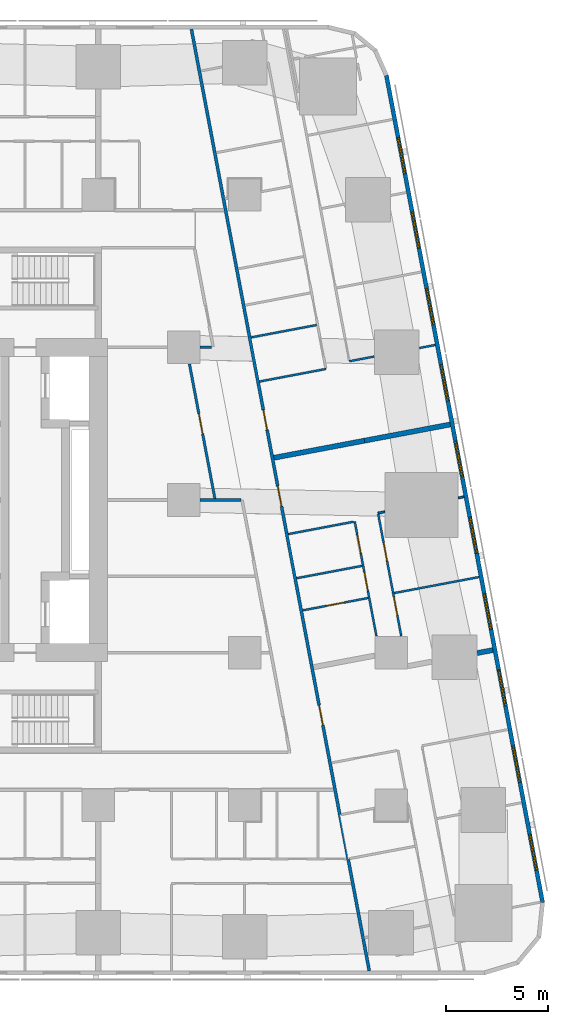
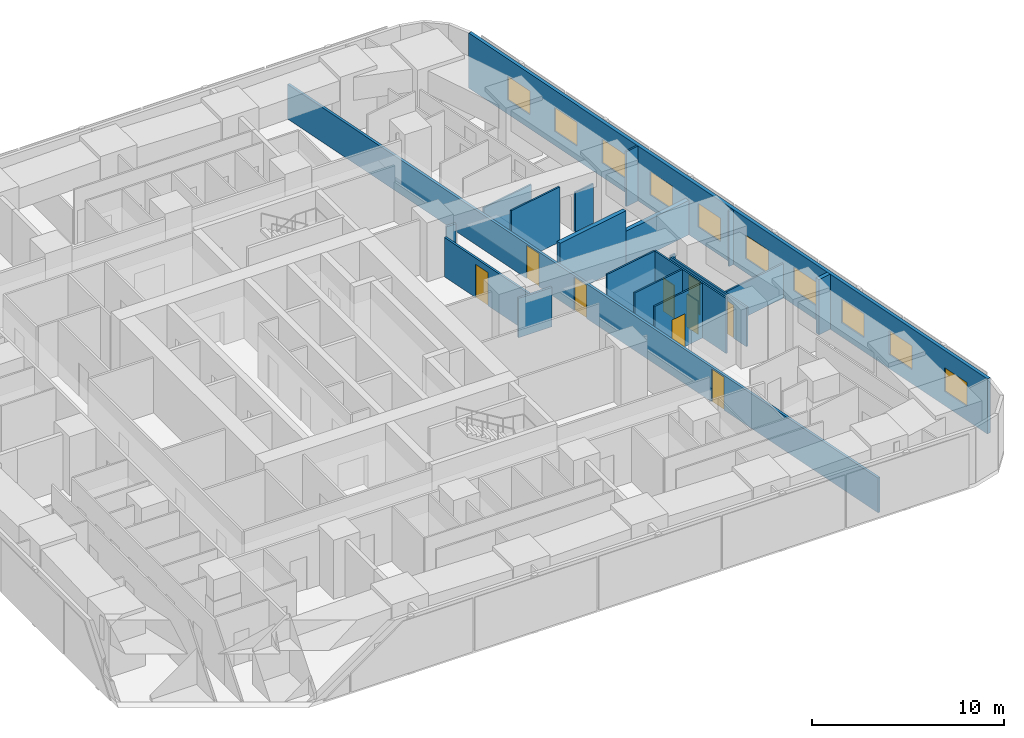
# One storey, part 7 of 15: 20 walls, 10 windows, 9 doors, 19 openings.
"""IFC4 building model written with IfcOpenShell, lengths in metres."""

import ifcopenshell
import ifcopenshell.guid

model = None  # the IFC model being written
_history = None  # IfcOwnerHistory: only IFC2X3 demands one
_inside = {}  # id of a spatial element -> (the spatial element, [elements in it])
_under = {}  # id of a project, library or spatial element -> (it, [spatial elements below it])
_declared = {}  # id of a project -> (the project, [libraries it declares])
_typed = {}  # id of a type object -> (the type object, [elements of that type])
_made_of = {}  # id of a material, layer set ... -> (it, [elements and type objects made of it])


def new_model(schema):
    """Start an empty IFC model of exactly this schema.

    Asked for "IFC4X3", IfcOpenShell would pick the latest addendum, in which some entities
    have other attributes; the version numbers below select the first issue.
    IFC2X3 requires an IfcOwnerHistory on every rooted entity: one is made here for all.
    """
    global model, _history
    if schema == "IFC4X3":
        model = ifcopenshell.file(schema_version=(4, 3, 0, 0))
    else:
        model = ifcopenshell.file(schema=schema)
    _inside.clear()
    _under.clear()
    _declared.clear()
    _typed.clear()
    _made_of.clear()
    _history = None
    if model.schema == "IFC2X3":
        org = make("IfcOrganization", Name="unknown")
        user = make(
            "IfcPersonAndOrganization",
            ThePerson=make("IfcPerson", FamilyName="unknown"),
            TheOrganization=org,
        )
        app = make(
            "IfcApplication",
            ApplicationDeveloper=org,
            Version="unknown",
            ApplicationFullName="unknown",
            ApplicationIdentifier="unknown",
        )
        _history = make(
            "IfcOwnerHistory",
            OwningUser=user,
            OwningApplication=app,
            ChangeAction="ADDED",
            CreationDate=0,
        )
    return model


def make(cls, **values):
    """One entity of the class cls with the attributes given. An attribute that is None is left unset."""
    return model.create_entity(
        cls, **{name: value for name, value in values.items() if value is not None}
    )


def rooted(cls, **values):
    """An entity with a GlobalId (a new one), such as an element, a storey or a relation."""
    return make(cls, GlobalId=ifcopenshell.guid.new(), OwnerHistory=_history, **values)


def si_unit(unit_type, name, prefix=None):
    """IfcSIUnit, for example si_unit("LENGTHUNIT", "METRE", prefix="MILLI")."""
    return make("IfcSIUnit", UnitType=unit_type, Prefix=prefix, Name=name)


def assignment(units):
    """IfcUnitAssignment: the units of a project."""
    return None if units is None else make("IfcUnitAssignment", Units=units)


def point(xyz):
    """IfcCartesianPoint."""
    return None if xyz is None else make("IfcCartesianPoint", Coordinates=xyz)


def direction(xyz):
    """IfcDirection."""
    return None if xyz is None else make("IfcDirection", DirectionRatios=xyz)


def frame(location, z_axis=None, x_axis=None):
    """IfcAxis2Placement3D, a coordinate frame: its origin and axes. An axis left out is left unset."""
    return make(
        "IfcAxis2Placement3D",
        Location=point(location),
        Axis=direction(z_axis),
        RefDirection=direction(x_axis),
    )


def frame_2d(location, x_axis=None):
    """IfcAxis2Placement2D, a coordinate frame in the plane: its origin and x axis."""
    return make(
        "IfcAxis2Placement2D", Location=point(location), RefDirection=direction(x_axis)
    )


def origin():
    """The frame at (0, 0, 0) with its axes left unset."""
    return frame((0.0, 0.0, 0.0))


def place(relative_to, where):
    """IfcLocalPlacement: puts the frame where relative to a parent placement (None: the world)."""
    return make(
        "IfcLocalPlacement", PlacementRelTo=relative_to, RelativePlacement=where
    )


def context(
    kind, dimensions, precision=None, world=None, true_north=None, identifier=None
):
    """IfcGeometricRepresentationContext, for example the 3D "Model" context."""
    return make(
        "IfcGeometricRepresentationContext",
        ContextIdentifier=identifier,
        ContextType=kind,
        CoordinateSpaceDimension=dimensions,
        Precision=precision,
        WorldCoordinateSystem=world,
        TrueNorth=true_north,
    )


def subcontext(parent, identifier, kind, view, scale=None):
    """IfcGeometricRepresentationSubContext, for example "Body" below "Model"."""
    return make(
        "IfcGeometricRepresentationSubContext",
        ContextIdentifier=identifier,
        ContextType=kind,
        ParentContext=parent,
        TargetScale=scale,
        TargetView=view,
    )


def project(units=None, contexts=None):
    """IfcProject with its units and contexts."""
    return rooted(
        "IfcProject",
        Name="project",
        RepresentationContexts=contexts,
        UnitsInContext=assignment(units),
    )


def spatial(cls, under=None, at=None, **own):
    """A site, building, storey or space (cls), placed at a placement, below another one or the project."""
    s = rooted(cls, ObjectPlacement=at, **own)
    if under is not None:
        _under.setdefault(under.id(), (under, []))[1].append(s)
    return s


def profile(cls, at=None, kind="AREA", **sizes):
    """A parametric profile (cls). Its sizes go by their IFC names, for example OverallWidth=200.0."""
    return make(cls, ProfileType=kind, Position=at, **sizes)


def rectangle(**sizes):
    """IfcRectangleProfileDef."""
    return profile("IfcRectangleProfileDef", **sizes)


def extrude(swept, where, along, depth):
    """IfcExtrudedAreaSolid: the profile swept, set in the frame where, extruded along a direction by depth."""
    return make(
        "IfcExtrudedAreaSolid",
        SweptArea=swept,
        Position=where,
        ExtrudedDirection=direction(along),
        Depth=depth,
    )


def shape(context_of_items, identifier, shape_type, items):
    """IfcShapeRepresentation: the items that make up one representation, for example the "Body"."""
    return make(
        "IfcShapeRepresentation",
        ContextOfItems=context_of_items,
        RepresentationIdentifier=identifier,
        RepresentationType=shape_type,
        Items=items,
    )


def material(Name=None, Category=None):
    """IfcMaterial."""
    return make("IfcMaterial", Name=Name, Category=Category)


def layer(
    of_material, thickness, ventilated=None, Name=None, Category=None, Priority=None
):
    """IfcMaterialLayer: one layer of a wall or slab, of a material (None: an air gap)."""
    return make(
        "IfcMaterialLayer",
        Material=of_material,
        LayerThickness=thickness,
        IsVentilated=ventilated,
        Name=Name,
        Category=Category,
        Priority=Priority,
    )


def layer_set(layers, Name=None):
    """IfcMaterialLayerSet."""
    return make("IfcMaterialLayerSet", MaterialLayers=layers, LayerSetName=Name)


def made_of(thing, what):
    """Note that an element or type object is made of a material, layer set ...; save() writes the relation."""
    if what is not None:
        _made_of.setdefault(what.id(), (what, []))[1].append(thing)
    return thing


def type_object(cls, material=None, **own):
    """A type object (cls), such as IfcWallType, which elements share."""
    return made_of(rooted(cls, **own), material)


def element(
    cls,
    number,
    at=None,
    inside=None,
    cuts=None,
    type_object=None,
    material=None,
    context=None,
    identifier="Body",
    shape_type=None,
    held_by="IfcProductDefinitionShape",
    body=None,
    shapes=None,
    **own,
):
    """One element of the class cls, such as IfcWall. Its Tag is "e" and its number.

    at: its placement. inside: the storey or other place that contains it. cuts: it is an
    opening in that element (IfcRelVoidsElement). A single representation is given by context,
    identifier, shape_type and body (its items); several are given by shapes. held_by: the class
    of the entity that holds the representations. save() writes the other relations.
    """
    e = rooted(cls, Tag="e%d" % number, ObjectPlacement=at, **own)
    if body is not None:
        shapes = [shape(context, identifier, shape_type, body)]
    if shapes is not None:
        e.Representation = make(held_by, Representations=shapes)
    if inside is not None:
        _inside.setdefault(inside.id(), (inside, []))[1].append(e)
    if cuts is not None:
        rooted(
            "IfcRelVoidsElement", RelatingBuildingElement=cuts, RelatedOpeningElement=e
        )
    if type_object is not None:
        _typed.setdefault(type_object.id(), (type_object, []))[1].append(e)
    return made_of(e, material)


def fill(opening, filler):
    """IfcRelFillsElement: the door or window that sits in an opening."""
    return rooted(
        "IfcRelFillsElement",
        RelatingOpeningElement=opening,
        RelatedBuildingElement=filler,
    )


def aggregate(whole, parts):
    """IfcRelAggregates: a whole, such as a stair, and the parts it consists of."""
    return rooted("IfcRelAggregates", RelatingObject=whole, RelatedObjects=parts)


def save(model, path):
    """Write the relations noted so far, then the file.

    IfcRelAggregates (storeys below a building ...), IfcRelContainedInSpatialStructure (elements
    in a storey), IfcRelDefinesByType, IfcRelAssociatesMaterial and IfcRelDeclares: one each for
    every whole, place, type object, material and project.
    """
    for whole, parts in _under.values():
        aggregate(whole, parts)
    for where, things in _inside.values():
        rooted(
            "IfcRelContainedInSpatialStructure",
            RelatedElements=things,
            RelatingStructure=where,
        )
    for kind, things in _typed.values():
        rooted("IfcRelDefinesByType", RelatedObjects=things, RelatingType=kind)
    for what, things in _made_of.values():
        rooted("IfcRelAssociatesMaterial", RelatedObjects=things, RelatingMaterial=what)
    for by, libraries in _declared.values():
        rooted("IfcRelDeclares", RelatingContext=by, RelatedDefinitions=libraries)
    model.write(path)


model = new_model("IFC4")

# Units and contexts
model_context = context("Model", 3, precision=1e-05, world=origin(), true_north=direction((0.0, 1.0)))
body_context = subcontext(model_context, "Body", "Model", "MODEL_VIEW")
ifc_project = project(units=[si_unit("LENGTHUNIT", "METRE"), si_unit("AREAUNIT", "SQUARE_METRE"), si_unit("VOLUMEUNIT", "CUBIC_METRE"), si_unit("PLANEANGLEUNIT", "RADIAN"), si_unit("MASSUNIT", "GRAM", prefix="KILO")], contexts=[model_context])

# Site, building, storey
site_placement = place(None, origin())
site = spatial("IfcSite", under=ifc_project, at=site_placement, CompositionType="ELEMENT")
building_placement = place(site_placement, origin())
building = spatial("IfcBuilding", under=site, at=building_placement, Name="Sheger Commons Tower", CompositionType="ELEMENT")
storey_placement = place(building_placement, frame((0.0, 0.0, 85.39990234375)))
storey = spatial("IfcBuildingStorey", under=building, at=storey_placement, Name="L21", CompositionType="ELEMENT", Elevation=85.39990234375)

# Wall, openings, doors
ifc_material_1 = material(Name="Hollow concrete block masonry, skimmed both sides", Category="masonry")
ifc_layer_1 = layer(ifc_material_1, 0.14990234375)
ifc_layer_set_1 = layer_set([ifc_layer_1], Name="CORRIDOR WALL 150")
wall_type_1 = type_object("IfcWallType", Name="CORRIDOR WALL 150", PredefinedType="SOLIDWALL", material=ifc_layer_set_1)
wall_1_placement = place(storey_placement, frame((33.382080078125, 45.64990234375, 0.0), z_axis=(0.0, 0.0, 1.0), x_axis=(0.185593544777, -0.982626600565, 0.0)))
wall_1 = element("IfcWall", 1, at=wall_1_placement, inside=storey, type_object=wall_type_1, Name="Corridor wall L21", PredefinedType="SOLIDWALL", context=body_context, shape_type="SweptSolid", body=[
    extrude(rectangle(XDim=47.118408203125, YDim=0.14990234375, at=frame_2d((23.55908203125, 0.0))), origin(), (0.0, 0.0, 1.0), 2.2001953125),
])
opening_1_placement = place(wall_1_placement, frame((19.053955078125, 0.0, 0.0)))
opening_1 = element("IfcOpeningElement", 2, at=opening_1_placement, cuts=wall_1, Name="Opening D1", PredefinedType="OPENING", context=body_context, shape_type="SweptSolid", body=[
    extrude(rectangle(XDim=1.0, YDim=2.10009765625, at=frame_2d((0.5, 1.050048828125))), frame((0.0, 0.0849609375, 0.0), z_axis=(0.0, -1.0, 0.0), x_axis=(1.0, 0.0, 0.0)), (0.0, 0.0, 1.0), 0.169921875),
])
opening_2_placement = place(wall_1_placement, frame((22.8701171875, 0.0, 0.0)))
opening_2 = element("IfcOpeningElement", 3, at=opening_2_placement, cuts=wall_1, Name="Opening D1", PredefinedType="OPENING", context=body_context, shape_type="SweptSolid", body=[
    extrude(rectangle(XDim=1.0, YDim=2.10009765625, at=frame_2d((0.5, 1.050048828125))), frame((0.0, 0.0849609375, 0.0), z_axis=(0.0, -1.0, 0.0), x_axis=(1.0, 0.0, 0.0)), (0.0, 0.0, 1.0), 0.169921875),
])
opening_3_placement = place(wall_1_placement, frame((33.8330078125, 0.0, 0.0)))
opening_3 = element("IfcOpeningElement", 4, at=opening_3_placement, cuts=wall_1, Name="Opening D1", PredefinedType="OPENING", context=body_context, shape_type="SweptSolid", body=[
    extrude(rectangle(XDim=1.0, YDim=2.10009765625, at=frame_2d((0.5, 1.050048828125))), frame((0.0, 0.0849609375, 0.0), z_axis=(0.0, -1.0, 0.0), x_axis=(1.0, 0.0, 0.0)), (0.0, 0.0, 1.0), 0.169921875),
])
ifc_material_2 = material(Name="Steel door set, fire rated", Category="steel")
door_type_1 = type_object("IfcDoorType", Name="FLAT ENTRANCE DOOR 1000x2100", OperationType="NOTDEFINED", PredefinedType="DOOR", material=ifc_material_2)
door_1_placement = place(opening_1_placement, origin())
door_1 = element("IfcDoor", 5, at=door_1_placement, inside=storey, type_object=door_type_1, Name="Flat entrance door", OperationType="SINGLE_SWING_LEFT", OverallHeight=2.10009765625, OverallWidth=1.0, PredefinedType="DOOR", context=body_context, shape_type="SweptSolid", body=[
    extrude(rectangle(XDim=1.0, YDim=2.10009765625, at=frame_2d((0.5, 1.050048828125))), frame((0.0, 0.02490234375, 0.0), z_axis=(0.0, -1.0, 0.0), x_axis=(1.0, 0.0, 0.0)), (0.0, 0.0, 1.0), 0.050048828125),
])
fill(opening_1, door_1)
door_2_placement = place(opening_2_placement, origin())
door_2 = element("IfcDoor", 6, at=door_2_placement, inside=storey, type_object=door_type_1, Name="Flat entrance door", OperationType="SINGLE_SWING_RIGHT", OverallHeight=2.10009765625, OverallWidth=1.0, PredefinedType="DOOR", context=body_context, shape_type="SweptSolid", body=[
    extrude(rectangle(XDim=1.0, YDim=2.10009765625, at=frame_2d((0.5, 1.050048828125))), frame((0.0, 0.02490234375, 0.0), z_axis=(0.0, -1.0, 0.0), x_axis=(1.0, 0.0, 0.0)), (0.0, 0.0, 1.0), 0.050048828125),
])
fill(opening_2, door_2)
door_3_placement = place(opening_3_placement, origin())
door_3 = element("IfcDoor", 7, at=door_3_placement, inside=storey, type_object=door_type_1, Name="Flat entrance door", OperationType="SINGLE_SWING_LEFT", OverallHeight=2.10009765625, OverallWidth=1.0, PredefinedType="DOOR", context=body_context, shape_type="SweptSolid", body=[
    extrude(rectangle(XDim=1.0, YDim=2.10009765625, at=frame_2d((0.5, 1.050048828125))), frame((0.0, 0.02490234375, 0.0), z_axis=(0.0, -1.0, 0.0), x_axis=(1.0, 0.0, 0.0)), (0.0, 0.0, 1.0), 0.050048828125),
])
fill(opening_3, door_3)

# Walls
ifc_material_3 = material(Name="Dense concrete block masonry, plastered both sides (separating wall between flats)", Category="masonry")
ifc_layer_2 = layer(ifc_material_3, 0.25)
ifc_layer_set_2 = layer_set([ifc_layer_2], Name="DEMISING WALL 250")
wall_type_2 = type_object("IfcWallType", Name="DEMISING WALL 250", PredefinedType="SOLIDWALL", material=ifc_layer_set_2)
wall_2_placement = place(storey_placement, frame((46.110107421875, 26.212890625, 0.0), z_axis=(0.0, 0.0, 1.0), x_axis=(-0.982633535512, -0.185556823879, 0.0)))
element("IfcWall", 8, at=wall_2_placement, inside=storey, type_object=wall_type_2, Name="Demising wall L21", PredefinedType="SOLIDWALL", context=body_context, shape_type="SweptSolid", body=[
    extrude(rectangle(XDim=4.2998046875, YDim=0.25, at=frame_2d((2.14990234375, 0.0))), origin(), (0.0, 0.0, 1.0), 2.2001953125),
])
wall_3_placement = place(storey_placement, frame((41.885009765625, 25.4150390625, 0.0), z_axis=(0.0, 0.0, 1.0), x_axis=(-0.982612837616, -0.185666398014, 0.0)))
element("IfcWall", 9, at=wall_3_placement, inside=storey, type_object=wall_type_2, Name="Demising wall L21", PredefinedType="SOLIDWALL", context=body_context, shape_type="SweptSolid", body=[
    extrude(rectangle(XDim=4.524658203125, YDim=0.25, at=frame_2d((2.26220703125, 0.0))), origin(), (0.0, 0.0, 1.0), 3.5),
])
wall_4_placement = place(storey_placement, frame((48.2060546875, 15.1201171875, 0.0), z_axis=(0.0, 0.0, 1.0), x_axis=(-0.982638023929, -0.185533053469, 0.0)))
element("IfcWall", 10, at=wall_4_placement, inside=storey, type_object=wall_type_2, Name="Demising wall L21", PredefinedType="SOLIDWALL", context=body_context, shape_type="SweptSolid", body=[
    extrude(rectangle(XDim=0.78173828125, YDim=0.25, at=frame_2d((0.390869140625, 0.0))), origin(), (0.0, 0.0, 1.0), 3.5),
])

# Wall, openings, windows
ifc_material_4 = material(Name="Rendered concrete block masonry, dark grey", Category="masonry")
ifc_layer_3 = layer(ifc_material_4, 0.199951171875)
ifc_layer_set_3 = layer_set([ifc_layer_3], Name="FACADE WALL 200")
wall_type_3 = type_object("IfcWallType", Name="FACADE WALL 200", PredefinedType="SOLIDWALL", material=ifc_layer_set_3)
wall_5_placement = place(storey_placement, frame((50.653076171875, 2.702880859375, 0.0), z_axis=(0.0, 0.0, 1.0), x_axis=(-0.185612026696, 0.982623109613, 0.0)))
wall_5 = element("IfcWall", 11, at=wall_5_placement, inside=storey, type_object=wall_type_3, Name="Facade wall L21", PredefinedType="SOLIDWALL", context=body_context, shape_type="SweptSolid", body=[
    extrude(rectangle(XDim=41.393310546875, YDim=0.199951171875, at=frame_2d((20.69677734375, 0.0))), origin(), (0.0, 0.0, 1.0), 3.5),
])
opening_4_placement = place(wall_5_placement, frame((1.633056640625, 0.0, 0.89990234375)))
opening_4 = element("IfcOpeningElement", 12, at=opening_4_placement, cuts=wall_5, Name="Opening W2", PredefinedType="OPENING", context=body_context, shape_type="SweptSolid", body=[
    extrude(rectangle(XDim=1.800048828125, YDim=1.5, at=frame_2d((0.89990234375, 0.75))), frame((0.0, 0.10986328125, 0.0), z_axis=(0.0, -1.0, 0.0), x_axis=(1.0, 0.0, 0.0)), (0.0, 0.0, 1.0), 0.219970703125),
])
opening_5_placement = place(wall_5_placement, frame((6.031982421875, 0.0, 0.89990234375)))
opening_5 = element("IfcOpeningElement", 13, at=opening_5_placement, cuts=wall_5, Name="Opening W2", PredefinedType="OPENING", context=body_context, shape_type="SweptSolid", body=[
    extrude(rectangle(XDim=1.800048828125, YDim=1.5, at=frame_2d((0.89990234375, 0.75))), frame((0.0, 0.10986328125, 0.0), z_axis=(0.0, -1.0, 0.0), x_axis=(1.0, 0.0, 0.0)), (0.0, 0.0, 1.0), 0.219970703125),
])
opening_6_placement = place(wall_5_placement, frame((9.847900390625, 0.0, 0.89990234375)))
opening_6 = element("IfcOpeningElement", 14, at=opening_6_placement, cuts=wall_5, Name="Opening W2", PredefinedType="OPENING", context=body_context, shape_type="SweptSolid", body=[
    extrude(rectangle(XDim=1.800048828125, YDim=1.5, at=frame_2d((0.89990234375, 0.75))), frame((0.0, 0.10986328125, 0.0), z_axis=(0.0, -1.0, 0.0), x_axis=(1.0, 0.0, 0.0)), (0.0, 0.0, 1.0), 0.219970703125),
])
opening_7_placement = place(wall_5_placement, frame((13.6640625, 0.0, 0.89990234375)))
opening_7 = element("IfcOpeningElement", 15, at=opening_7_placement, cuts=wall_5, Name="Opening W2", PredefinedType="OPENING", context=body_context, shape_type="SweptSolid", body=[
    extrude(rectangle(XDim=1.800048828125, YDim=1.5, at=frame_2d((0.89990234375, 0.75))), frame((0.0, 0.10986328125, 0.0), z_axis=(0.0, -1.0, 0.0), x_axis=(1.0, 0.0, 0.0)), (0.0, 0.0, 1.0), 0.219970703125),
])
opening_8_placement = place(wall_5_placement, frame((17.48095703125, 0.0, 0.89990234375)))
opening_8 = element("IfcOpeningElement", 16, at=opening_8_placement, cuts=wall_5, Name="Opening W2", PredefinedType="OPENING", context=body_context, shape_type="SweptSolid", body=[
    extrude(rectangle(XDim=1.800048828125, YDim=1.5, at=frame_2d((0.89990234375, 0.75))), frame((0.0, 0.10986328125, 0.0), z_axis=(0.0, -1.0, 0.0), x_axis=(1.0, 0.0, 0.0)), (0.0, 0.0, 1.0), 0.219970703125),
])
opening_9_placement = place(wall_5_placement, frame((21.297119140625, 0.0, 0.89990234375)))
opening_9 = element("IfcOpeningElement", 17, at=opening_9_placement, cuts=wall_5, Name="Opening W2", PredefinedType="OPENING", context=body_context, shape_type="SweptSolid", body=[
    extrude(rectangle(XDim=1.800048828125, YDim=1.5, at=frame_2d((0.89990234375, 0.75))), frame((0.0, 0.10986328125, 0.0), z_axis=(0.0, -1.0, 0.0), x_axis=(1.0, 0.0, 0.0)), (0.0, 0.0, 1.0), 0.219970703125),
])
opening_10_placement = place(wall_5_placement, frame((25.113037109375, 0.0, 0.89990234375)))
opening_10 = element("IfcOpeningElement", 18, at=opening_10_placement, cuts=wall_5, Name="Opening W2", PredefinedType="OPENING", context=body_context, shape_type="SweptSolid", body=[
    extrude(rectangle(XDim=1.800048828125, YDim=1.5, at=frame_2d((0.89990234375, 0.75))), frame((0.0, 0.10986328125, 0.0), z_axis=(0.0, -1.0, 0.0), x_axis=(1.0, 0.0, 0.0)), (0.0, 0.0, 1.0), 0.219970703125),
])
opening_11_placement = place(wall_5_placement, frame((28.929931640625, 0.0, 0.89990234375)))
opening_11 = element("IfcOpeningElement", 19, at=opening_11_placement, cuts=wall_5, Name="Opening W2", PredefinedType="OPENING", context=body_context, shape_type="SweptSolid", body=[
    extrude(rectangle(XDim=1.800048828125, YDim=1.5, at=frame_2d((0.89990234375, 0.75))), frame((0.0, 0.10986328125, 0.0), z_axis=(0.0, -1.0, 0.0), x_axis=(1.0, 0.0, 0.0)), (0.0, 0.0, 1.0), 0.219970703125),
])
opening_12_placement = place(wall_5_placement, frame((32.74609375, 0.0, 0.89990234375)))
opening_12 = element("IfcOpeningElement", 20, at=opening_12_placement, cuts=wall_5, Name="Opening W2", PredefinedType="OPENING", context=body_context, shape_type="SweptSolid", body=[
    extrude(rectangle(XDim=1.800048828125, YDim=1.5, at=frame_2d((0.89990234375, 0.75))), frame((0.0, 0.10986328125, 0.0), z_axis=(0.0, -1.0, 0.0), x_axis=(1.0, 0.0, 0.0)), (0.0, 0.0, 1.0), 0.219970703125),
])
opening_13_placement = place(wall_5_placement, frame((36.48095703125, 0.0, 0.89990234375)))
opening_13 = element("IfcOpeningElement", 21, at=opening_13_placement, cuts=wall_5, Name="Opening W2", PredefinedType="OPENING", context=body_context, shape_type="SweptSolid", body=[
    extrude(rectangle(XDim=1.800048828125, YDim=1.5, at=frame_2d((0.89990234375, 0.75))), frame((0.0, 0.10986328125, 0.0), z_axis=(0.0, -1.0, 0.0), x_axis=(1.0, 0.0, 0.0)), (0.0, 0.0, 1.0), 0.219970703125),
])
ifc_material_5 = material(Name="Black aluminium frame, dark tinted double glazing", Category="aluminium")
window_type = type_object("IfcWindowType", Name="WINDOW W2 1800x1500", PartitioningType="SINGLE_PANEL", PredefinedType="WINDOW", material=ifc_material_5)
window_1_placement = place(opening_4_placement, origin())
window_1 = element("IfcWindow", 22, at=window_1_placement, inside=storey, type_object=window_type, Name="Window W2 1800X1500", OverallHeight=1.5, OverallWidth=1.800048828125, PartitioningType="SINGLE_PANEL", PredefinedType="WINDOW", context=body_context, shape_type="SweptSolid", body=[
    extrude(rectangle(XDim=1.800048828125, YDim=1.5, at=frame_2d((0.89990234375, 0.75))), frame((0.0, 0.030029296875, 0.0), z_axis=(0.0, -1.0, 0.0), x_axis=(1.0, 0.0, 0.0)), (0.0, 0.0, 1.0), 0.06005859375),
])
fill(opening_4, window_1)
window_2_placement = place(opening_5_placement, origin())
window_2 = element("IfcWindow", 23, at=window_2_placement, inside=storey, type_object=window_type, Name="Window W2 1800X1500", OverallHeight=1.5, OverallWidth=1.800048828125, PartitioningType="SINGLE_PANEL", PredefinedType="WINDOW", context=body_context, shape_type="SweptSolid", body=[
    extrude(rectangle(XDim=1.800048828125, YDim=1.5, at=frame_2d((0.89990234375, 0.75))), frame((0.0, 0.030029296875, 0.0), z_axis=(0.0, -1.0, 0.0), x_axis=(1.0, 0.0, 0.0)), (0.0, 0.0, 1.0), 0.06005859375),
])
fill(opening_5, window_2)
window_3_placement = place(opening_6_placement, origin())
window_3 = element("IfcWindow", 24, at=window_3_placement, inside=storey, type_object=window_type, Name="Window W2 1800X1500", OverallHeight=1.5, OverallWidth=1.800048828125, PartitioningType="SINGLE_PANEL", PredefinedType="WINDOW", context=body_context, shape_type="SweptSolid", body=[
    extrude(rectangle(XDim=1.800048828125, YDim=1.5, at=frame_2d((0.89990234375, 0.75))), frame((0.0, 0.030029296875, 0.0), z_axis=(0.0, -1.0, 0.0), x_axis=(1.0, 0.0, 0.0)), (0.0, 0.0, 1.0), 0.06005859375),
])
fill(opening_6, window_3)
window_4_placement = place(opening_7_placement, origin())
window_4 = element("IfcWindow", 25, at=window_4_placement, inside=storey, type_object=window_type, Name="Window W2 1800X1500", OverallHeight=1.5, OverallWidth=1.800048828125, PartitioningType="SINGLE_PANEL", PredefinedType="WINDOW", context=body_context, shape_type="SweptSolid", body=[
    extrude(rectangle(XDim=1.800048828125, YDim=1.5, at=frame_2d((0.89990234375, 0.75))), frame((0.0, 0.030029296875, 0.0), z_axis=(0.0, -1.0, 0.0), x_axis=(1.0, 0.0, 0.0)), (0.0, 0.0, 1.0), 0.06005859375),
])
fill(opening_7, window_4)
window_5_placement = place(opening_8_placement, origin())
window_5 = element("IfcWindow", 26, at=window_5_placement, inside=storey, type_object=window_type, Name="Window W2 1800X1500", OverallHeight=1.5, OverallWidth=1.800048828125, PartitioningType="SINGLE_PANEL", PredefinedType="WINDOW", context=body_context, shape_type="SweptSolid", body=[
    extrude(rectangle(XDim=1.800048828125, YDim=1.5, at=frame_2d((0.89990234375, 0.75))), frame((0.0, 0.030029296875, 0.0), z_axis=(0.0, -1.0, 0.0), x_axis=(1.0, 0.0, 0.0)), (0.0, 0.0, 1.0), 0.06005859375),
])
fill(opening_8, window_5)
window_6_placement = place(opening_9_placement, origin())
window_6 = element("IfcWindow", 27, at=window_6_placement, inside=storey, type_object=window_type, Name="Window W2 1800X1500", OverallHeight=1.5, OverallWidth=1.800048828125, PartitioningType="SINGLE_PANEL", PredefinedType="WINDOW", context=body_context, shape_type="SweptSolid", body=[
    extrude(rectangle(XDim=1.800048828125, YDim=1.5, at=frame_2d((0.89990234375, 0.75))), frame((0.0, 0.030029296875, 0.0), z_axis=(0.0, -1.0, 0.0), x_axis=(1.0, 0.0, 0.0)), (0.0, 0.0, 1.0), 0.06005859375),
])
fill(opening_9, window_6)
window_7_placement = place(opening_10_placement, origin())
window_7 = element("IfcWindow", 28, at=window_7_placement, inside=storey, type_object=window_type, Name="Window W2 1800X1500", OverallHeight=1.5, OverallWidth=1.800048828125, PartitioningType="SINGLE_PANEL", PredefinedType="WINDOW", context=body_context, shape_type="SweptSolid", body=[
    extrude(rectangle(XDim=1.800048828125, YDim=1.5, at=frame_2d((0.89990234375, 0.75))), frame((0.0, 0.030029296875, 0.0), z_axis=(0.0, -1.0, 0.0), x_axis=(1.0, 0.0, 0.0)), (0.0, 0.0, 1.0), 0.06005859375),
])
fill(opening_10, window_7)
window_8_placement = place(opening_11_placement, origin())
window_8 = element("IfcWindow", 29, at=window_8_placement, inside=storey, type_object=window_type, Name="Window W2 1800X1500", OverallHeight=1.5, OverallWidth=1.800048828125, PartitioningType="SINGLE_PANEL", PredefinedType="WINDOW", context=body_context, shape_type="SweptSolid", body=[
    extrude(rectangle(XDim=1.800048828125, YDim=1.5, at=frame_2d((0.89990234375, 0.75))), frame((0.0, 0.030029296875, 0.0), z_axis=(0.0, -1.0, 0.0), x_axis=(1.0, 0.0, 0.0)), (0.0, 0.0, 1.0), 0.06005859375),
])
fill(opening_11, window_8)
window_9_placement = place(opening_12_placement, origin())
window_9 = element("IfcWindow", 30, at=window_9_placement, inside=storey, type_object=window_type, Name="Window W2 1800X1500", OverallHeight=1.5, OverallWidth=1.800048828125, PartitioningType="SINGLE_PANEL", PredefinedType="WINDOW", context=body_context, shape_type="SweptSolid", body=[
    extrude(rectangle(XDim=1.800048828125, YDim=1.5, at=frame_2d((0.89990234375, 0.75))), frame((0.0, 0.030029296875, 0.0), z_axis=(0.0, -1.0, 0.0), x_axis=(1.0, 0.0, 0.0)), (0.0, 0.0, 1.0), 0.06005859375),
])
fill(opening_12, window_9)
window_10_placement = place(opening_13_placement, origin())
window_10 = element("IfcWindow", 31, at=window_10_placement, inside=storey, type_object=window_type, Name="Window W2 1800X1500", OverallHeight=1.5, OverallWidth=1.800048828125, PartitioningType="SINGLE_PANEL", PredefinedType="WINDOW", context=body_context, shape_type="SweptSolid", body=[
    extrude(rectangle(XDim=1.800048828125, YDim=1.5, at=frame_2d((0.89990234375, 0.75))), frame((0.0, 0.030029296875, 0.0), z_axis=(0.0, -1.0, 0.0), x_axis=(1.0, 0.0, 0.0)), (0.0, 0.0, 1.0), 0.06005859375),
])
fill(opening_13, window_10)

# Walls
ifc_material_6 = material(Name="Gypsum board on steel studs", Category="steel")
ifc_layer_4 = layer(ifc_material_6, 0.10009765625)
ifc_layer_set_4 = layer_set([ifc_layer_4], Name="PARTITION 100")
wall_type_4 = type_object("IfcWallType", Name="PARTITION 100", PredefinedType="PARTITIONING", material=ifc_layer_set_4)
wall_6_placement = place(storey_placement, frame((45.3720703125, 30.12109375, 0.0), z_axis=(0.0, 0.0, 1.0), x_axis=(-0.982512656401, -0.186195810938, 0.0)))
element("IfcWall", 32, at=wall_6_placement, inside=storey, type_object=wall_type_4, Name="Partition L21", PredefinedType="PARTITIONING", context=body_context, shape_type="SweptSolid", body=[
    extrude(rectangle(XDim=0.7958984375, YDim=0.10009765625, at=frame_2d((0.39794921875, 0.0))), origin(), (0.0, 0.0, 1.0), 3.5),
])
wall_7_placement = place(storey_placement, frame((42.3701171875, 29.552978515625, 0.0), z_axis=(0.0, 0.0, 1.0), x_axis=(-0.98263602344, -0.185543648338, 0.0)))
element("IfcWall", 33, at=wall_7_placement, inside=storey, type_object=wall_type_4, Name="Partition L21", PredefinedType="PARTITIONING", context=body_context, shape_type="SweptSolid", body=[
    extrude(rectangle(XDim=1.244873046875, YDim=0.10009765625, at=frame_2d((0.62255859375, 0.0))), origin(), (0.0, 0.0, 1.0), 2.5),
])
wall_8_placement = place(storey_placement, frame((39.9970703125, 28.94189453125, 0.0), z_axis=(0.0, 0.0, 1.0), x_axis=(-0.982569883123, -0.185893584556, 0.0)))
element("IfcWall", 34, at=wall_8_placement, inside=storey, type_object=wall_type_4, Name="Partition L21", PredefinedType="PARTITIONING", context=body_context, shape_type="SweptSolid", body=[
    extrude(rectangle(XDim=3.323974609375, YDim=0.10009765625, at=frame_2d((1.662109375, 0.0))), origin(), (0.0, 0.0, 1.0), 3.5),
])
wall_9_placement = place(storey_placement, frame((39.5380859375, 31.10400390625, 0.0), z_axis=(0.0, 0.0, 1.0), x_axis=(-0.982610347627, -0.185679575441, 0.0)))
element("IfcWall", 35, at=wall_9_placement, inside=storey, type_object=wall_type_4, Name="Partition L21", PredefinedType="PARTITIONING", context=body_context, shape_type="SweptSolid", body=[
    extrude(rectangle(XDim=3.27392578125, YDim=0.10009765625, at=frame_2d((1.636962890625, 0.0))), origin(), (0.0, 0.0, 1.0), 2.5),
])

# Wall, openings, doors
wall_10_placement = place(storey_placement, frame((42.56591796875, 21.80908203125, 0.0), z_axis=(0.0, 0.0, 1.0), x_axis=(0.18559218796, -0.982626856832, 0.0)))
wall_10 = element("IfcWall", 36, at=wall_10_placement, inside=storey, type_object=wall_type_4, Name="Partition L21", PredefinedType="PARTITIONING", context=body_context, shape_type="SweptSolid", body=[
    extrude(rectangle(XDim=6.10498046875, YDim=0.10009765625, at=frame_2d((3.052490234375, 0.0))), origin(), (0.0, 0.0, 1.0), 2.5),
])
opening_14_placement = place(wall_10_placement, frame((1.449951171875, 0.0, 0.0)))
opening_14 = element("IfcOpeningElement", 37, at=opening_14_placement, cuts=wall_10, Name="Opening D2", PredefinedType="OPENING", context=body_context, shape_type="SweptSolid", body=[
    extrude(rectangle(XDim=0.89990234375, YDim=2.10009765625, at=frame_2d((0.449951171875, 1.050048828125))), frame((0.0, 0.06005859375, 0.0), z_axis=(0.0, -1.0, 0.0), x_axis=(1.0, 0.0, 0.0)), (0.0, 0.0, 1.0), 0.1201171875),
])
opening_15_placement = place(wall_10_placement, frame((4.1630859375, 0.0, 0.0)))
opening_15 = element("IfcOpeningElement", 38, at=opening_15_placement, cuts=wall_10, Name="Opening D2", PredefinedType="OPENING", context=body_context, shape_type="SweptSolid", body=[
    extrude(rectangle(XDim=0.89990234375, YDim=2.10009765625, at=frame_2d((0.449951171875, 1.050048828125))), frame((0.0, 0.06005859375, 0.0), z_axis=(0.0, -1.0, 0.0), x_axis=(1.0, 0.0, 0.0)), (0.0, 0.0, 1.0), 0.1201171875),
])
ifc_material_7 = material(Name="Timber door set", Category="wood")
door_type_2 = type_object("IfcDoorType", Name="INTERNAL DOOR 900x2100", OperationType="NOTDEFINED", PredefinedType="DOOR", material=ifc_material_7)
door_4_placement = place(opening_14_placement, origin())
door_4 = element("IfcDoor", 39, at=door_4_placement, inside=storey, type_object=door_type_2, Name="Main bedroom door", OperationType="SINGLE_SWING_LEFT", OverallHeight=2.10009765625, OverallWidth=0.89990234375, PredefinedType="DOOR", context=body_context, shape_type="SweptSolid", body=[
    extrude(rectangle(XDim=0.89990234375, YDim=2.10009765625, at=frame_2d((0.449951171875, 1.050048828125))), frame((0.0, 0.02490234375, 0.0), z_axis=(0.0, -1.0, 0.0), x_axis=(1.0, 0.0, 0.0)), (0.0, 0.0, 1.0), 0.050048828125),
])
fill(opening_14, door_4)
door_5_placement = place(opening_15_placement, origin())
door_5 = element("IfcDoor", 40, at=door_5_placement, inside=storey, type_object=door_type_2, Name="Bedroom 2 door", OperationType="SINGLE_SWING_LEFT", OverallHeight=2.10009765625, OverallWidth=0.89990234375, PredefinedType="DOOR", context=body_context, shape_type="SweptSolid", body=[
    extrude(rectangle(XDim=0.89990234375, YDim=2.10009765625, at=frame_2d((0.449951171875, 1.050048828125))), frame((0.0, 0.02490234375, 0.0), z_axis=(0.0, -1.0, 0.0), x_axis=(1.0, 0.0, 0.0)), (0.0, 0.0, 1.0), 0.050048828125),
])
fill(opening_15, door_5)

wall_11_placement = place(storey_placement, frame((41.4140625, 21.44189453125, 0.0), z_axis=(0.0, 0.0, 1.0), x_axis=(0.185636022079, -0.982618576716, 0.0)))
wall_11 = element("IfcWall", 41, at=wall_11_placement, inside=storey, type_object=wall_type_4, Name="Partition L21", PredefinedType="PARTITIONING", context=body_context, shape_type="SweptSolid", body=[
    extrude(rectangle(XDim=5.7314453125, YDim=0.10009765625, at=frame_2d((2.86572265625, 0.0))), origin(), (0.0, 0.0, 1.0), 3.5),
])
opening_16_placement = place(wall_11_placement, frame((0.655029296875, 0.0, 0.0)))
opening_16 = element("IfcOpeningElement", 42, at=opening_16_placement, cuts=wall_11, Name="Opening D2", PredefinedType="OPENING", context=body_context, shape_type="SweptSolid", body=[
    extrude(rectangle(XDim=0.89990234375, YDim=2.10009765625, at=frame_2d((0.449951171875, 1.050048828125))), frame((0.0, 0.06005859375, 0.0), z_axis=(0.0, -1.0, 0.0), x_axis=(1.0, 0.0, 0.0)), (0.0, 0.0, 1.0), 0.1201171875),
])
opening_17_placement = place(wall_11_placement, frame((2.56298828125, 0.0, 0.0)))
opening_17 = element("IfcOpeningElement", 43, at=opening_17_placement, cuts=wall_11, Name="Opening D2", PredefinedType="OPENING", context=body_context, shape_type="SweptSolid", body=[
    extrude(rectangle(XDim=0.89990234375, YDim=2.10009765625, at=frame_2d((0.449951171875, 1.050048828125))), frame((0.0, 0.06005859375, 0.0), z_axis=(0.0, -1.0, 0.0), x_axis=(1.0, 0.0, 0.0)), (0.0, 0.0, 1.0), 0.1201171875),
])
door_6_placement = place(opening_16_placement, origin())
door_6 = element("IfcDoor", 44, at=door_6_placement, inside=storey, type_object=door_type_2, Name="Bathroom door", OperationType="SINGLE_SWING_RIGHT", OverallHeight=2.10009765625, OverallWidth=0.89990234375, PredefinedType="DOOR", context=body_context, shape_type="SweptSolid", body=[
    extrude(rectangle(XDim=0.89990234375, YDim=2.10009765625, at=frame_2d((0.449951171875, 1.050048828125))), frame((0.0, 0.02490234375, 0.0), z_axis=(0.0, -1.0, 0.0), x_axis=(1.0, 0.0, 0.0)), (0.0, 0.0, 1.0), 0.050048828125),
])
fill(opening_16, door_6)
door_7_placement = place(opening_17_placement, origin())
door_7 = element("IfcDoor", 45, at=door_7_placement, inside=storey, type_object=door_type_2, Name="Store door", OperationType="SINGLE_SWING_RIGHT", OverallHeight=2.10009765625, OverallWidth=0.89990234375, PredefinedType="DOOR", context=body_context, shape_type="SweptSolid", body=[
    extrude(rectangle(XDim=0.89990234375, YDim=2.10009765625, at=frame_2d((0.449951171875, 1.050048828125))), frame((0.0, 0.02490234375, 0.0), z_axis=(0.0, -1.0, 0.0), x_axis=(1.0, 0.0, 0.0)), (0.0, 0.0, 1.0), 0.050048828125),
])
fill(opening_17, door_7)

# Walls
wall_12_placement = place(storey_placement, frame((46.781982421875, 22.656982421875, 0.0), z_axis=(0.0, 0.0, 1.0), x_axis=(-0.982574553168, -0.185868898601, 0.0)))
element("IfcWall", 46, at=wall_12_placement, inside=storey, type_object=wall_type_4, Name="Partition L21", PredefinedType="PARTITIONING", context=body_context, shape_type="SweptSolid", body=[
    extrude(rectangle(XDim=0.27978515625, YDim=0.10009765625, at=frame_2d((0.139892578125, 0.0))), origin(), (0.0, 0.0, 1.0), 3.5),
])
wall_13_placement = place(storey_placement, frame((42.886962890625, 21.9208984375, 0.0), z_axis=(0.0, 0.0, 1.0), x_axis=(-0.982274918032, -0.187445953293, 0.0)))
element("IfcWall", 47, at=wall_13_placement, inside=storey, type_object=wall_type_4, Name="Partition L21", PredefinedType="PARTITIONING", context=body_context, shape_type="SweptSolid", body=[
    extrude(rectangle(XDim=0.3359375, YDim=0.10009765625, at=frame_2d((0.16796875, 0.0))), origin(), (0.0, 0.0, 1.0), 2.5),
])
wall_14_placement = place(storey_placement, frame((47.527099609375, 18.7119140625, 0.0), z_axis=(0.0, 0.0, 1.0), x_axis=(-0.982665405803, -0.185387972203, 0.0)))
element("IfcWall", 48, at=wall_14_placement, inside=storey, type_object=wall_type_4, Name="Partition L21", PredefinedType="PARTITIONING", context=body_context, shape_type="SweptSolid", body=[
    extrude(rectangle(XDim=4.249755859375, YDim=0.10009765625, at=frame_2d((2.125, 0.0))), origin(), (0.0, 0.0, 1.0), 2.2001953125),
])
wall_15_placement = place(storey_placement, frame((41.364990234375, 21.43310546875, 0.0), z_axis=(0.0, 0.0, 1.0), x_axis=(-0.982607026909, -0.185697147715, 0.0)))
element("IfcWall", 49, at=wall_15_placement, inside=storey, type_object=wall_type_4, Name="Partition L21", PredefinedType="PARTITIONING", context=body_context, shape_type="SweptSolid", body=[
    extrude(rectangle(XDim=3.27490234375, YDim=0.10009765625, at=frame_2d((1.637451171875, 0.0))), origin(), (0.0, 0.0, 1.0), 3.5),
])

# Wall, opening, door
wall_16_placement = place(storey_placement, frame((42.072998046875, 17.681884765625, 0.0), z_axis=(0.0, 0.0, 1.0), x_axis=(-0.982610347627, -0.185679575441, 0.0)))
wall_16 = element("IfcWall", 50, at=wall_16_placement, inside=storey, type_object=wall_type_4, Name="Partition L21", PredefinedType="PARTITIONING", context=body_context, shape_type="SweptSolid", body=[
    extrude(rectangle(XDim=3.27392578125, YDim=0.10009765625, at=frame_2d((1.636962890625, 0.0))), origin(), (0.0, 0.0, 1.0), 3.5),
])
opening_18_placement = place(wall_16_placement, frame((1.199951171875, 0.0, 0.0)))
opening_18 = element("IfcOpeningElement", 51, at=opening_18_placement, cuts=wall_16, Name="Opening D2", PredefinedType="OPENING", context=body_context, shape_type="SweptSolid", body=[
    extrude(rectangle(XDim=0.89990234375, YDim=2.10009765625, at=frame_2d((0.449951171875, 1.050048828125))), frame((0.0, 0.06005859375, 0.0), z_axis=(0.0, -1.0, 0.0), x_axis=(1.0, 0.0, 0.0)), (0.0, 0.0, 1.0), 0.1201171875),
])
door_8_placement = place(opening_18_placement, origin())
door_8 = element("IfcDoor", 52, at=door_8_placement, inside=storey, type_object=door_type_2, Name="Store door", OperationType="SINGLE_SWING_RIGHT", OverallHeight=2.10009765625, OverallWidth=0.89990234375, PredefinedType="DOOR", context=body_context, shape_type="SweptSolid", body=[
    extrude(rectangle(XDim=0.89990234375, YDim=2.10009765625, at=frame_2d((0.449951171875, 1.050048828125))), frame((0.0, 0.02490234375, 0.0), z_axis=(0.0, -1.0, 0.0), x_axis=(1.0, 0.0, 0.0)), (0.0, 0.0, 1.0), 0.050048828125),
])
fill(opening_18, door_8)

# Wall
wall_17_placement = place(storey_placement, frame((41.77490234375, 19.260986328125, 0.0), z_axis=(0.0, 0.0, 1.0), x_axis=(-0.982620626894, -0.185625169636, 0.0)))
element("IfcWall", 53, at=wall_17_placement, inside=storey, type_object=wall_type_4, Name="Partition L21", PredefinedType="PARTITIONING", context=body_context, shape_type="SweptSolid", body=[
    extrude(rectangle(XDim=3.27490234375, YDim=0.10009765625, at=frame_2d((1.637451171875, 0.0))), origin(), (0.0, 0.0, 1.0), 3.5),
])

# Wall, opening, door
ifc_material_8 = material(Name="Gypsum board on steel studs, two layers each side, fire rated", Category="steel")
ifc_layer_5 = layer(ifc_material_8, 0.125)
ifc_layer_set_5 = layer_set([ifc_layer_5], Name="SERVICE WALL 125")
wall_type_5 = type_object("IfcWallType", Name="SERVICE WALL 125", PredefinedType="PARTITIONING", material=ifc_layer_set_5)
wall_18_placement = place(storey_placement, frame((34.534912109375, 22.573974609375, 0.0), z_axis=(0.0, 0.0, 1.0), x_axis=(-0.185591596381, 0.982626968566, 0.0)))
wall_18 = element("IfcWall", 54, at=wall_18_placement, inside=storey, type_object=wall_type_5, Name="Service room wall L21", PredefinedType="PARTITIONING", context=body_context, shape_type="SweptSolid", body=[
    extrude(rectangle(XDim=6.72998046875, YDim=0.125, at=frame_2d((3.364990234375, 0.0))), origin(), (0.0, 0.0, 1.0), 2.5),
])
opening_19_placement = place(wall_18_placement, frame((3.240966796875, 0.0, 0.0)))
opening_19 = element("IfcOpeningElement", 55, at=opening_19_placement, cuts=wall_18, Name="Opening D4", PredefinedType="OPENING", context=body_context, shape_type="SweptSolid", body=[
    extrude(rectangle(XDim=1.0, YDim=2.10009765625, at=frame_2d((0.5, 1.050048828125))), frame((0.0, 0.072509765625, 0.0), z_axis=(0.0, -1.0, 0.0), x_axis=(1.0, 0.0, 0.0)), (0.0, 0.0, 1.0), 0.14501953125),
])
ifc_material_9 = material(Name="Steel door set, fire rated", Category="steel")
door_type_3 = type_object("IfcDoorType", Name="SERVICE DOOR 1000x2100", OperationType="NOTDEFINED", PredefinedType="DOOR", material=ifc_material_9)
door_9_placement = place(opening_19_placement, origin())
door_9 = element("IfcDoor", 56, at=door_9_placement, inside=storey, type_object=door_type_3, Name="Residents' lounge door", OperationType="SINGLE_SWING_RIGHT", OverallHeight=2.10009765625, OverallWidth=1.0, PredefinedType="DOOR", context=body_context, shape_type="SweptSolid", body=[
    extrude(rectangle(XDim=1.0, YDim=2.10009765625, at=frame_2d((0.5, 1.050048828125))), frame((0.0, 0.02490234375, 0.0), z_axis=(0.0, -1.0, 0.0), x_axis=(1.0, 0.0, 0.0)), (0.0, 0.0, 1.0), 0.050048828125),
])
fill(opening_19, door_9)

# Walls
wall_19_placement = place(storey_placement, frame((33.801025390625, 22.5, 0.0), z_axis=(0.0, 0.0, 1.0), x_axis=(1.0, 0.0, 0.0)))
element("IfcWall", 57, at=wall_19_placement, inside=storey, type_object=wall_type_5, Name="Service room wall L21", PredefinedType="PARTITIONING", context=body_context, shape_type="SweptSolid", body=[
    extrude(rectangle(XDim=2.009033203125, YDim=0.125, at=frame_2d((1.00439453125, 0.0))), origin(), (0.0, 0.0, 1.0), 2.5),
])
wall_20_placement = place(storey_placement, frame((33.801025390625, 30.0, 0.0), z_axis=(0.0, 0.0, 1.0), x_axis=(1.0, 0.0, 0.0)))
element("IfcWall", 58, at=wall_20_placement, inside=storey, type_object=wall_type_5, Name="Service room wall L21", PredefinedType="PARTITIONING", context=body_context, shape_type="SweptSolid", body=[
    extrude(rectangle(XDim=0.578857421875, YDim=0.125, at=frame_2d((0.28955078125, 0.0))), origin(), (0.0, 0.0, 1.0), 2.5),
])

save(model, "model.ifc")
